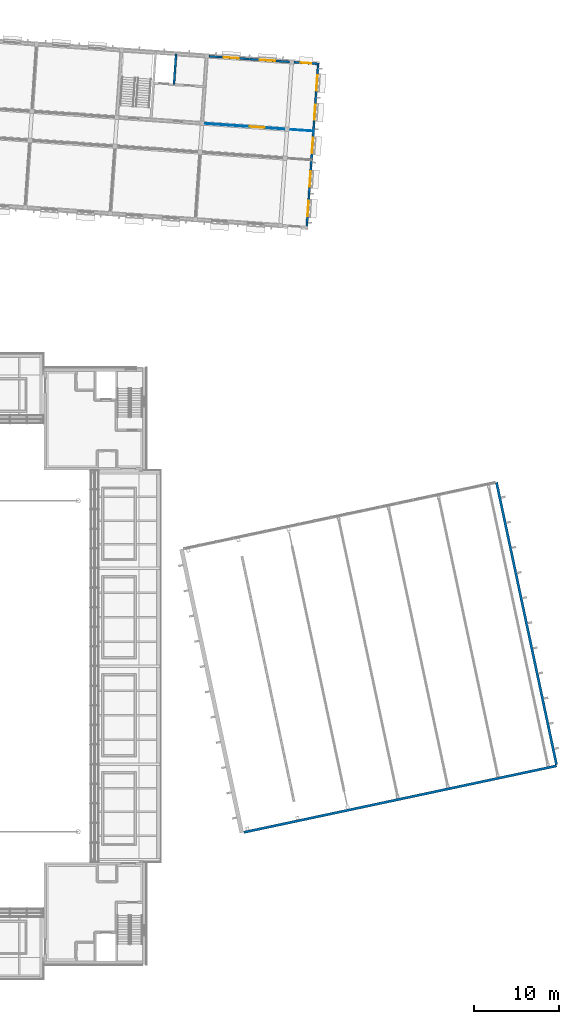
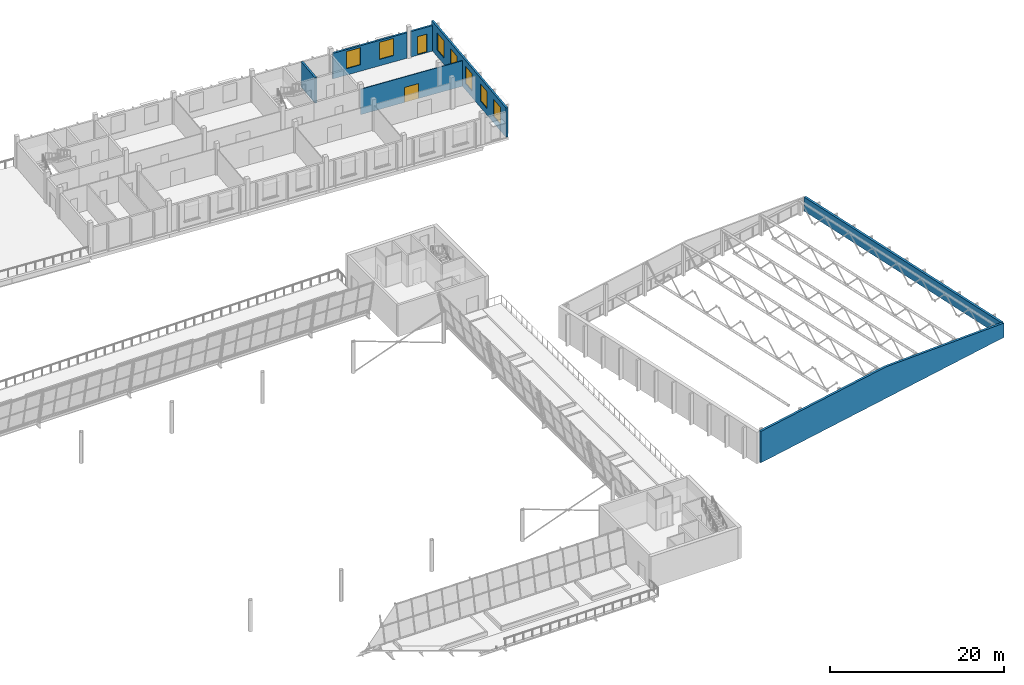
# One storey, part 38 of 58: 8 windows, 7 walls, 1 door, 9 openings.
"""IFC4 building model written with IfcOpenShell, lengths in metres."""

from ifc_helpers import new_model, si_unit, direction, frame, frame_2d, origin, place, context, subcontext, project, spatial, polyline, rectangle, outline, extrude, material, layer, layer_set, type_object, element, fill, save


model = new_model("IFC4")

# Units and contexts
model_context = context("Model", 3, precision=1e-05, world=origin(), true_north=direction((0.0, 1.0)))
body_context = subcontext(model_context, "Body", "Model", "MODEL_VIEW")
ifc_project = project(units=[si_unit("LENGTHUNIT", "METRE"), si_unit("AREAUNIT", "SQUARE_METRE"), si_unit("VOLUMEUNIT", "CUBIC_METRE"), si_unit("PLANEANGLEUNIT", "RADIAN"), si_unit("MASSUNIT", "GRAM", prefix="KILO")], contexts=[model_context])

# Site, building, storey
site_placement = place(None, origin())
site = spatial("IfcSite", under=ifc_project, at=site_placement, CompositionType="ELEMENT")
building_placement = place(site_placement, origin())
building = spatial("IfcBuilding", under=site, at=building_placement, Name="Windward Yard Aquatics Centre", CompositionType="ELEMENT")
storey_placement = place(building_placement, frame((0.0, 0.0, 13.800048828125)))
storey = spatial("IfcBuildingStorey", under=building, at=storey_placement, Name="L03", CompositionType="ELEMENT", Elevation=13.800048828125)

# Walls
ifc_material_1 = material(Name="Concrete C35/45", Category="concrete")
ifc_layer_1 = layer(ifc_material_1, 0.300048828125)
ifc_layer_set_1 = layer_set([ifc_layer_1], Name="D diving hall external wall 300")
wall_type_1 = type_object("IfcWallType", Name="D diving hall external wall 300", PredefinedType="SOLIDWALL", material=ifc_layer_set_1)
wall_1_placement = place(storey_placement, frame((163.438720703125, 41.525146484375, 0.0), z_axis=(0.0, 0.0, 1.0), x_axis=(0.978148061555, 0.207909522815, 0.0)))
element("IfcWall", 1, at=wall_1_placement, inside=storey, type_object=wall_type_1, Name="D.W.S.L03", PredefinedType="SOLIDWALL", context=body_context, shape_type="SweptSolid", body=[
    extrude(outline(polyline([(0.0, 0.0), (37.5, 0.0), (37.5, 1.998291015625), (19.246826171875, 4.39990234375), (0.0, 4.39990234375), (0.0, 0.0)])), frame((0.0, 0.14990234375, 0.0), z_axis=(0.0, -1.0, 0.0), x_axis=(1.0, 0.0, 0.0)), (0.0, 0.0, 1.0), 0.300048828125),
])
wall_2_placement = place(storey_placement, frame((200.088134765625, 49.468505859375, 0.0), z_axis=(0.0, 0.0, 1.0), x_axis=(-0.207915737435, 0.97814674059, 0.0)))
element("IfcWall", 2, at=wall_2_placement, inside=storey, type_object=wall_type_1, Name="D.W.E.L03", PredefinedType="SOLIDWALL", context=body_context, shape_type="SweptSolid", body=[
    extrude(rectangle(XDim=33.820068359375, YDim=0.300048828125, at=frame_2d((16.91015625, 0.0))), origin(), (0.0, 0.0, 1.0), 1.95849609375),
])
ifc_material_2 = material(Name="Concrete C40/50", Category="concrete")
ifc_layer_2 = layer(ifc_material_2, 0.25)
ifc_layer_set_2 = layer_set([ifc_layer_2], Name="W RC core wall 250 Concrete C40/50")
wall_type_2 = type_object("IfcWallType", Name="W RC core wall 250 Concrete C40/50", PredefinedType="SOLIDWALL", material=ifc_layer_set_2)
wall_3_placement = place(storey_placement, frame((155.23828125, 129.1904296875, 0.0), z_axis=(0.0, 0.0, 1.0), x_axis=(0.06978660948, 0.997561942506, 0.0)))
element("IfcWall", 3, at=wall_3_placement, inside=storey, type_object=wall_type_2, Name="W.WL.L03.012", PredefinedType="SOLIDWALL", context=body_context, shape_type="SweptSolid", body=[
    extrude(rectangle(XDim=3.599853515625, YDim=0.25, at=frame_2d((1.7998046875, 0.0))), origin(), (0.0, 0.0, 1.0), 3.570068359375),
])

# Wall, openings, windows
ifc_layer_3 = layer(ifc_material_2, 0.25)
ifc_layer_set_3 = layer_set([ifc_layer_3], Name="W facade wall 250 Precast Concrete C40/50")
wall_type_3 = type_object("IfcWallType", Name="W facade wall 250 Precast Concrete C40/50", PredefinedType="SOLIDWALL", material=ifc_layer_set_3)
wall_4_placement = place(storey_placement, frame((159.330078125, 132.51318359375, 0.0), z_axis=(0.0, 0.0, 1.0), x_axis=(0.997562886035, -0.069773120941, 0.0)))
wall_4 = element("IfcWall", 4, at=wall_4_placement, inside=storey, type_object=wall_type_3, Name="W.FW.L03.N.86.8", PredefinedType="SOLIDWALL", context=body_context, shape_type="SweptSolid", body=[
    extrude(rectangle(XDim=9.5, YDim=0.25, at=frame_2d((4.75, 0.0))), origin(), (0.0, 0.0, 1.0), 3.570068359375),
])
opening_1_placement = place(wall_4_placement, frame((1.72509765625, 0.0, 0.89990234375)))
opening_1 = element("IfcOpeningElement", 5, at=opening_1_placement, cuts=wall_4, Name="Opening W3514", PredefinedType="OPENING", context=body_context, shape_type="SweptSolid", body=[
    extrude(rectangle(XDim=1.800048828125, YDim=2.39990234375, at=frame_2d((0.89990234375, 1.199951171875))), frame((0.0, 0.135009765625, 0.0), z_axis=(0.0, -1.0, 0.0), x_axis=(1.0, 0.0, 0.0)), (0.0, 0.0, 1.0), 0.27001953125),
])
opening_2_placement = place(wall_4_placement, frame((5.97509765625, 0.0, 0.89990234375)))
opening_2 = element("IfcOpeningElement", 6, at=opening_2_placement, cuts=wall_4, Name="Opening W3515", PredefinedType="OPENING", context=body_context, shape_type="SweptSolid", body=[
    extrude(rectangle(XDim=1.800048828125, YDim=2.39990234375, at=frame_2d((0.89990234375, 1.199951171875))), frame((0.0, 0.135009765625, 0.0), z_axis=(0.0, -1.0, 0.0), x_axis=(1.0, 0.0, 0.0)), (0.0, 0.0, 1.0), 0.27001953125),
])
ifc_material_3 = material(Name="Aluminium framed glazing", Category="aluminium")
window_type_1 = type_object("IfcWindowType", Name="W window 1800x2400", PartitioningType="SINGLE_PANEL", PredefinedType="WINDOW", material=ifc_material_3)
window_1_placement = place(opening_1_placement, origin())
window_1 = element("IfcWindow", 7, at=window_1_placement, inside=storey, type_object=window_type_1, Name="W.WN.L03.W3514", OverallHeight=2.39990234375, OverallWidth=1.800048828125, PartitioningType="SINGLE_PANEL", PredefinedType="WINDOW", context=body_context, shape_type="SweptSolid", body=[
    extrude(rectangle(XDim=1.800048828125, YDim=2.39990234375, at=frame_2d((0.89990234375, 1.199951171875))), frame((0.0, 0.030029296875, 0.0), z_axis=(0.0, -1.0, 0.0), x_axis=(1.0, 0.0, 0.0)), (0.0, 0.0, 1.0), 0.06005859375),
])
fill(opening_1, window_1)
window_2_placement = place(opening_2_placement, origin())
window_2 = element("IfcWindow", 8, at=window_2_placement, inside=storey, type_object=window_type_1, Name="W.WN.L03.W3515", OverallHeight=2.39990234375, OverallWidth=1.800048828125, PartitioningType="SINGLE_PANEL", PredefinedType="WINDOW", context=body_context, shape_type="SweptSolid", body=[
    extrude(rectangle(XDim=1.800048828125, YDim=2.39990234375, at=frame_2d((0.89990234375, 1.199951171875))), frame((0.0, 0.030029296875, 0.0), z_axis=(0.0, -1.0, 0.0), x_axis=(1.0, 0.0, 0.0)), (0.0, 0.0, 1.0), 0.06005859375),
])
fill(opening_2, window_2)

# Wall, opening, window
wall_5_placement = place(storey_placement, frame((169.305908203125, 131.8154296875, 0.0), z_axis=(0.0, 0.0, 1.0), x_axis=(0.997563824095, -0.069759707979, 0.0)))
wall_5 = element("IfcWall", 9, at=wall_5_placement, inside=storey, type_object=wall_type_3, Name="W.FW.L03.N.96.8", PredefinedType="SOLIDWALL", context=body_context, shape_type="SweptSolid", body=[
    extrude(rectangle(XDim=2.974853515625, YDim=0.25, at=frame_2d((1.4873046875, 0.0))), origin(), (0.0, 0.0, 1.0), 3.570068359375),
])
opening_3_placement = place(wall_5_placement, frame((0.824951171875, 0.0, 0.10009765625)))
opening_3 = element("IfcOpeningElement", 10, at=opening_3_placement, cuts=wall_5, Name="Opening W3516", PredefinedType="OPENING", context=body_context, shape_type="SweptSolid", body=[
    extrude(rectangle(XDim=1.199951171875, YDim=2.5, at=frame_2d((0.60009765625, 1.25))), frame((0.0, 0.135009765625, 0.0), z_axis=(0.0, -1.0, 0.0), x_axis=(1.0, 0.0, 0.0)), (0.0, 0.0, 1.0), 0.27001953125),
])
window_type_2 = type_object("IfcWindowType", Name="W sidelight 1200x2500", PartitioningType="SINGLE_PANEL", PredefinedType="WINDOW", material=ifc_material_3)
window_3_placement = place(opening_3_placement, origin())
window_3 = element("IfcWindow", 11, at=window_3_placement, inside=storey, type_object=window_type_2, Name="W.WN.L03.W3516", OverallHeight=2.5, OverallWidth=1.199951171875, PartitioningType="SINGLE_PANEL", PredefinedType="WINDOW", context=body_context, shape_type="SweptSolid", body=[
    extrude(rectangle(XDim=1.199951171875, YDim=2.5, at=frame_2d((0.60009765625, 1.25))), frame((0.0, 0.030029296875, 0.0), z_axis=(0.0, -1.0, 0.0), x_axis=(1.0, 0.0, 0.0)), (0.0, 0.0, 1.0), 0.06005859375),
])
fill(opening_3, window_3)

# Wall, openings, windows
wall_6_placement = place(storey_placement, frame((170.80078125, 112.3388671875, 0.0), z_axis=(0.0, 0.0, 1.0), x_axis=(0.069765298421, 0.997563433139, 0.0)))
wall_6 = element("IfcWall", 12, at=wall_6_placement, inside=storey, type_object=wall_type_3, Name="W.FW.L03.E.0.3", PredefinedType="SOLIDWALL", context=body_context, shape_type="SweptSolid", body=[
    extrude(rectangle(XDim=19.449951171875, YDim=0.25, at=frame_2d((9.72509765625, 0.0))), origin(), (0.0, 0.0, 1.0), 4.119873046875),
])
opening_4_placement = place(wall_6_placement, frame((1.449951171875, 0.0, 0.89990234375)))
opening_4 = element("IfcOpeningElement", 13, at=opening_4_placement, cuts=wall_6, Name="Opening W3517", PredefinedType="OPENING", context=body_context, shape_type="SweptSolid", body=[
    extrude(rectangle(XDim=1.800048828125, YDim=2.39990234375, at=frame_2d((0.89990234375, 1.199951171875))), frame((0.0, 0.135009765625, 0.0), z_axis=(0.0, -1.0, 0.0), x_axis=(1.0, 0.0, 0.0)), (0.0, 0.0, 1.0), 0.27001953125),
])
opening_5_placement = place(wall_6_placement, frame((4.89990234375, 0.0, 0.89990234375)))
opening_5 = element("IfcOpeningElement", 14, at=opening_5_placement, cuts=wall_6, Name="Opening W3518", PredefinedType="OPENING", context=body_context, shape_type="SweptSolid", body=[
    extrude(rectangle(XDim=1.800048828125, YDim=2.39990234375, at=frame_2d((0.89990234375, 1.199951171875))), frame((0.0, 0.135009765625, 0.0), z_axis=(0.0, -1.0, 0.0), x_axis=(1.0, 0.0, 0.0)), (0.0, 0.0, 1.0), 0.27001953125),
])
opening_6_placement = place(wall_6_placement, frame((8.824951171875, 0.0, 0.89990234375)))
opening_6 = element("IfcOpeningElement", 15, at=opening_6_placement, cuts=wall_6, Name="Opening W3519", PredefinedType="OPENING", context=body_context, shape_type="SweptSolid", body=[
    extrude(rectangle(XDim=1.800048828125, YDim=2.39990234375, at=frame_2d((0.89990234375, 1.199951171875))), frame((0.0, 0.135009765625, 0.0), z_axis=(0.0, -1.0, 0.0), x_axis=(1.0, 0.0, 0.0)), (0.0, 0.0, 1.0), 0.27001953125),
])
opening_7_placement = place(wall_6_placement, frame((12.75, 0.0, 0.89990234375)))
opening_7 = element("IfcOpeningElement", 16, at=opening_7_placement, cuts=wall_6, Name="Opening W3520", PredefinedType="OPENING", context=body_context, shape_type="SweptSolid", body=[
    extrude(rectangle(XDim=1.800048828125, YDim=2.39990234375, at=frame_2d((0.89990234375, 1.199951171875))), frame((0.0, 0.135009765625, 0.0), z_axis=(0.0, -1.0, 0.0), x_axis=(1.0, 0.0, 0.0)), (0.0, 0.0, 1.0), 0.27001953125),
])
opening_8_placement = place(wall_6_placement, frame((16.199951171875, 0.0, 0.89990234375)))
opening_8 = element("IfcOpeningElement", 17, at=opening_8_placement, cuts=wall_6, Name="Opening W3521", PredefinedType="OPENING", context=body_context, shape_type="SweptSolid", body=[
    extrude(rectangle(XDim=1.800048828125, YDim=2.39990234375, at=frame_2d((0.89990234375, 1.199951171875))), frame((0.0, 0.135009765625, 0.0), z_axis=(0.0, -1.0, 0.0), x_axis=(1.0, 0.0, 0.0)), (0.0, 0.0, 1.0), 0.27001953125),
])
window_4_placement = place(opening_4_placement, origin())
window_4 = element("IfcWindow", 18, at=window_4_placement, inside=storey, type_object=window_type_1, Name="W.WN.L03.W3517", OverallHeight=2.39990234375, OverallWidth=1.800048828125, PartitioningType="SINGLE_PANEL", PredefinedType="WINDOW", context=body_context, shape_type="SweptSolid", body=[
    extrude(rectangle(XDim=1.800048828125, YDim=2.39990234375, at=frame_2d((0.89990234375, 1.199951171875))), frame((0.0, 0.030029296875, 0.0), z_axis=(0.0, -1.0, 0.0), x_axis=(1.0, 0.0, 0.0)), (0.0, 0.0, 1.0), 0.06005859375),
])
fill(opening_4, window_4)
window_5_placement = place(opening_5_placement, origin())
window_5 = element("IfcWindow", 19, at=window_5_placement, inside=storey, type_object=window_type_1, Name="W.WN.L03.W3518", OverallHeight=2.39990234375, OverallWidth=1.800048828125, PartitioningType="SINGLE_PANEL", PredefinedType="WINDOW", context=body_context, shape_type="SweptSolid", body=[
    extrude(rectangle(XDim=1.800048828125, YDim=2.39990234375, at=frame_2d((0.89990234375, 1.199951171875))), frame((0.0, 0.030029296875, 0.0), z_axis=(0.0, -1.0, 0.0), x_axis=(1.0, 0.0, 0.0)), (0.0, 0.0, 1.0), 0.06005859375),
])
fill(opening_5, window_5)
window_6_placement = place(opening_6_placement, origin())
window_6 = element("IfcWindow", 20, at=window_6_placement, inside=storey, type_object=window_type_1, Name="W.WN.L03.W3519", OverallHeight=2.39990234375, OverallWidth=1.800048828125, PartitioningType="SINGLE_PANEL", PredefinedType="WINDOW", context=body_context, shape_type="SweptSolid", body=[
    extrude(rectangle(XDim=1.800048828125, YDim=2.39990234375, at=frame_2d((0.89990234375, 1.199951171875))), frame((0.0, 0.030029296875, 0.0), z_axis=(0.0, -1.0, 0.0), x_axis=(1.0, 0.0, 0.0)), (0.0, 0.0, 1.0), 0.06005859375),
])
fill(opening_6, window_6)
window_7_placement = place(opening_7_placement, origin())
window_7 = element("IfcWindow", 21, at=window_7_placement, inside=storey, type_object=window_type_1, Name="W.WN.L03.W3520", OverallHeight=2.39990234375, OverallWidth=1.800048828125, PartitioningType="SINGLE_PANEL", PredefinedType="WINDOW", context=body_context, shape_type="SweptSolid", body=[
    extrude(rectangle(XDim=1.800048828125, YDim=2.39990234375, at=frame_2d((0.89990234375, 1.199951171875))), frame((0.0, 0.030029296875, 0.0), z_axis=(0.0, -1.0, 0.0), x_axis=(1.0, 0.0, 0.0)), (0.0, 0.0, 1.0), 0.06005859375),
])
fill(opening_7, window_7)
window_8_placement = place(opening_8_placement, origin())
window_8 = element("IfcWindow", 22, at=window_8_placement, inside=storey, type_object=window_type_1, Name="W.WN.L03.W3521", OverallHeight=2.39990234375, OverallWidth=1.800048828125, PartitioningType="SINGLE_PANEL", PredefinedType="WINDOW", context=body_context, shape_type="SweptSolid", body=[
    extrude(rectangle(XDim=1.800048828125, YDim=2.39990234375, at=frame_2d((0.89990234375, 1.199951171875))), frame((0.0, 0.030029296875, 0.0), z_axis=(0.0, -1.0, 0.0), x_axis=(1.0, 0.0, 0.0)), (0.0, 0.0, 1.0), 0.06005859375),
])
fill(opening_8, window_8)

# Wall, opening, door
ifc_material_4 = material(Name="Plasterboard on steel stud partition", Category="steel")
ifc_layer_4 = layer(ifc_material_4, 0.10009765625)
ifc_layer_set_4 = layer_set([ifc_layer_4], Name="W partition 100")
wall_type_4 = type_object("IfcWallType", Name="W partition 100", PredefinedType="PARTITIONING", material=ifc_layer_set_4)
wall_7_placement = place(storey_placement, frame((158.52978515625, 124.649658203125, 0.0), z_axis=(0.0, 0.0, 1.0), x_axis=(0.997564014548, -0.069756984446, 0.0)))
wall_7 = element("IfcWall", 23, at=wall_7_placement, inside=storey, type_object=wall_type_4, Name="W.WL.L03.022", PredefinedType="PARTITIONING", context=body_context, shape_type="SweptSolid", body=[
    extrude(rectangle(XDim=13.10009765625, YDim=0.10009765625, at=frame_2d((6.550048828125, 0.0))), origin(), (0.0, 0.0, 1.0), 3.570068359375),
])
opening_9_placement = place(wall_7_placement, frame((5.60009765625, 0.0, 0.0)))
opening_9 = element("IfcOpeningElement", 24, at=opening_9_placement, cuts=wall_7, Name="Opening W3011", PredefinedType="OPENING", context=body_context, shape_type="SweptSolid", body=[
    extrude(rectangle(XDim=1.800048828125, YDim=2.10009765625, at=frame_2d((0.89990234375, 1.050048828125))), frame((0.0, 0.06005859375, 0.0), z_axis=(0.0, -1.0, 0.0), x_axis=(1.0, 0.0, 0.0)), (0.0, 0.0, 1.0), 0.1201171875),
])
ifc_material_5 = material(Name="Timber door leaf", Category="wood")
door_type = type_object("IfcDoorType", Name="W double door 1800x2100", OperationType="DOUBLE_DOOR_SINGLE_SWING", PredefinedType="DOOR", material=ifc_material_5)
door_placement = place(opening_9_placement, origin())
door = element("IfcDoor", 25, at=door_placement, inside=storey, type_object=door_type, Name="W.DRI.L03.010", OperationType="DOUBLE_DOOR_SINGLE_SWING", OverallHeight=2.10009765625, OverallWidth=1.800048828125, PredefinedType="DOOR", context=body_context, shape_type="SweptSolid", body=[
    extrude(rectangle(XDim=1.800048828125, YDim=2.10009765625, at=frame_2d((0.89990234375, 1.050048828125))), frame((0.0, 0.02490234375, 0.0), z_axis=(0.0, -1.0, 0.0), x_axis=(1.0, 0.0, 0.0)), (0.0, 0.0, 1.0), 0.050048828125),
])
fill(opening_9, door)

save(model, "model.ifc")
